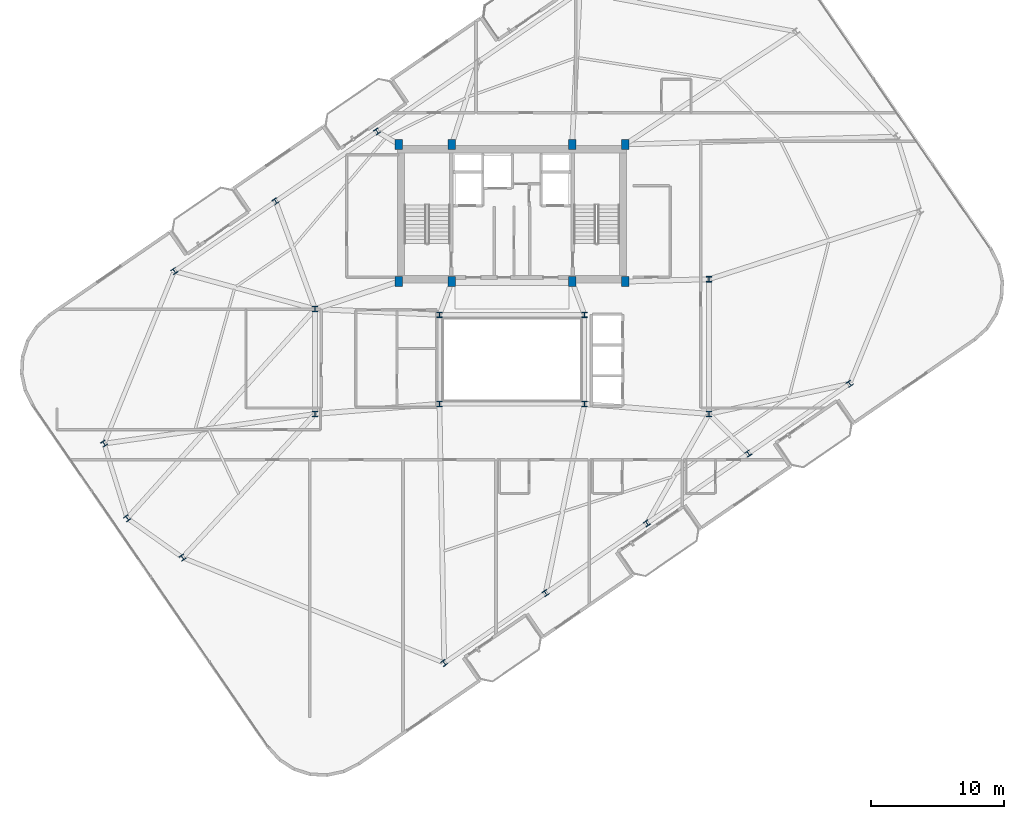
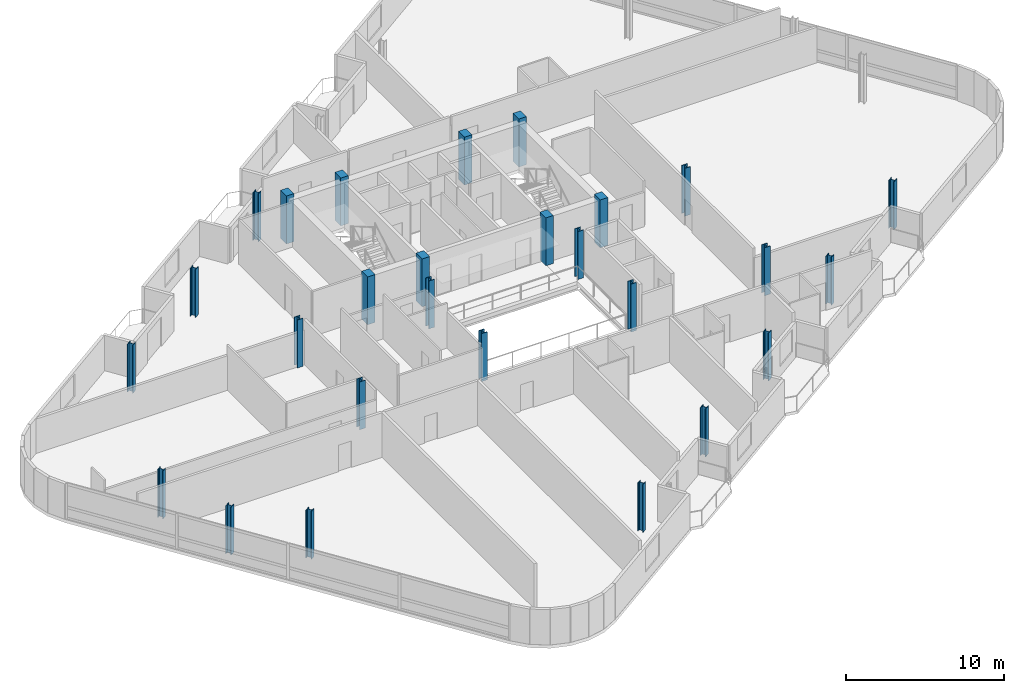
# One storey, part 1 of 21: 27 columns.
"""IFC4 building model written with IfcOpenShell, lengths in metres."""

from ifc_helpers import new_model, si_unit, direction, frame, origin, origin_2d, place, context, subcontext, project, spatial, rectangle, i_section, extrude, material, material_profile, profile_set, type_object, element, save


model = new_model("IFC4")

# Units and contexts
model_context = context("Model", 3, precision=1e-05, world=origin(), true_north=direction((0.0, 1.0)))
body_context = subcontext(model_context, "Body", "Model", "MODEL_VIEW")
ifc_project = project(units=[si_unit("LENGTHUNIT", "METRE"), si_unit("AREAUNIT", "SQUARE_METRE"), si_unit("VOLUMEUNIT", "CUBIC_METRE"), si_unit("PLANEANGLEUNIT", "RADIAN"), si_unit("MASSUNIT", "GRAM", prefix="KILO")], contexts=[model_context])

# Site, building, storey
site_placement = place(None, origin())
site = spatial("IfcSite", under=ifc_project, at=site_placement, CompositionType="ELEMENT")
building_placement = place(site_placement, origin())
building = spatial("IfcBuilding", under=site, at=building_placement, Name="Varnelok Gate Tower", CompositionType="ELEMENT")
storey_placement = place(building_placement, frame((0.0, 0.0, 261.89990234375)))
storey = spatial("IfcBuildingStorey", under=building, at=storey_placement, Name="L67", CompositionType="ELEMENT", Elevation=261.89990234375)

# Columns
ifc_material_1 = material(Name="Concrete C50/60", Category="concrete")
ifc_material_profile_1 = material_profile(ifc_material_1, rectangle(XDim=0.550048828125, YDim=0.75, at=origin_2d()), Name="RC750X550")
ifc_profile_set_1 = profile_set([ifc_material_profile_1], Name="Concrete C50/60")
column_type_1 = type_object("IfcColumnType", Name="COL-RC750X550", PredefinedType="COLUMN", material=ifc_profile_set_1)
for number, where, z_axis, x_axis, name in (
    (1, (30.699951171875, 28.75, 0.0), (0.0, 0.0, 1.0), (1.0, 0.0, 0.0), "L67 Core Spine Column SC1"),
    (2, (34.679931640625, 28.75, 0.0), (0.0, 0.0, 1.0), (1.0, 0.0, 0.0), "L67 Core Spine Column SC2"),
    (3, (43.719970703125, 28.75, 0.0), (0.0, 0.0, 1.0), (1.0, 0.0, 0.0), "L67 Core Spine Column SC3"),
    (4, (47.699951171875, 28.75, 0.0), (0.0, 0.0, 1.0), (1.0, 0.0, 0.0), "L67 Core Spine Column SC4"),
    (5, (30.699951171875, 39.050048828125, 0.0), (0.0, 0.0, 1.0), (1.0, 0.0, 0.0), "L67 Core Spine Column SC5"),
    (6, (34.679931640625, 39.050048828125, 0.0), (0.0, 0.0, 1.0), (1.0, 0.0, 0.0), "L67 Core Spine Column SC6"),
    (7, (43.719970703125, 39.050048828125, 0.0), (0.0, 0.0, 1.0), (1.0, 0.0, 0.0), "L67 Core Spine Column SC7"),
    (8, (47.699951171875, 39.050048828125, 0.0), (0.0, 0.0, 1.0), (1.0, 0.0, 0.0), "L67 Core Spine Column SC8"),
):
    element("IfcColumn", number, at=place(storey_placement, frame(where, z_axis=z_axis, x_axis=x_axis)), inside=storey, type_object=column_type_1, Name=name, PredefinedType="COLUMN", context=body_context, shape_type="SweptSolid", body=[
        extrude(rectangle(XDim=0.550048828125, YDim=0.75, at=origin_2d()), origin(), (0.0, 0.0, 1.0), 3.7001953125),
    ])
ifc_material_2 = material(Name="Structural Steel ASTM A992 Grade 50", Category="steel")
ifc_material_profile_2 = material_profile(ifc_material_2, i_section(OverallWidth=0.40087890625, OverallDepth=0.39892578125, WebThickness=0.02490234375, FlangeThickness=0.03955078125, FilletRadius=0.02197265625, at=origin_2d()), Name="W14X211")
ifc_profile_set_2 = profile_set([ifc_material_profile_2], Name="Structural Steel ASTM A992 Grade 50")
column_type_2 = type_object("IfcColumnType", Name="COL-W14X211", PredefinedType="COLUMN", material=ifc_profile_set_2)
for number, where, z_axis, x_axis, name in (
    (9, (34.107421875, 0.080810546875, 0.0), (0.0, 0.0, 1.0), (0.823532597628, 0.567268949127, 0.0), "L67 B6 Perimeter Column PC01"),
    (10, (41.72509765625, 5.327880859375, 0.0), (0.0, 0.0, 1.0), (0.823532597628, 0.567268949127, 0.0), "L67 B6 Perimeter Column PC02"),
    (11, (49.3427734375, 10.5751953125, 0.0), (0.0, 0.0, 1.0), (0.823532597628, 0.567268949127, 0.0), "L67 B6 Perimeter Column PC03"),
    (12, (56.96044921875, 15.822509765625, 0.0), (0.0, 0.0, 1.0), (0.823532597628, 0.567268949127, 0.0), "L67 B6 Perimeter Column PC04"),
    (13, (64.578125, 21.069580078125, 0.0), (0.0, 0.0, 1.0), (0.823532597628, 0.567268949127, 0.0), "L67 B6 Perimeter Column PC05"),
    (14, (29.05712890625, 40.02490234375, 0.0), (0.0, 0.0, 1.0), (0.823532597628, 0.567268949127, 0.0), "L67 B6 Perimeter Column PC11"),
    (15, (21.439697265625, 34.777587890625, 0.0), (0.0, 0.0, 1.0), (0.823532597628, 0.567268949127, 0.0), "L67 B6 Perimeter Column PC12"),
    (16, (13.822021484375, 29.5302734375, 0.0), (0.0, 0.0, 1.0), (0.823532597628, 0.567268949127, 0.0), "L67 B6 Perimeter Column PC13"),
    (17, (8.543212890625, 16.568603515625, 0.0), (0.0, 0.0, 1.0), (0.823532597628, 0.567268949127, 0.0), "L67 B6 Perimeter Column PC14"),
    (18, (10.284423828125, 10.955810546875, 0.0), (0.0, 0.0, 1.0), (0.823532597628, 0.567268949127, 0.0), "L67 B6 Perimeter Column PC15"),
    (19, (14.44287109375, 8.00390625, 0.0), (0.0, 0.0, 1.0), (0.823532597628, 0.567268949127, 0.0), "L67 B6 Perimeter Column PC16"),
):
    element("IfcColumn", number, at=place(storey_placement, frame(where, z_axis=z_axis, x_axis=x_axis)), inside=storey, type_object=column_type_2, Name=name, PredefinedType="COLUMN", context=body_context, shape_type="SweptSolid", body=[
        extrude(i_section(OverallWidth=0.40087890625, OverallDepth=0.39892578125, WebThickness=0.02490234375, FlangeThickness=0.03955078125, FilletRadius=0.02197265625, at=origin_2d()), origin(), (0.0, 0.0, 1.0), 3.7001953125),
    ])
ifc_material_profile_3 = material_profile(ifc_material_2, i_section(OverallWidth=0.406005859375, OverallDepth=0.416015625, WebThickness=0.02978515625, FlangeThickness=0.048095703125, FilletRadius=0.02490234375, at=origin_2d()), Name="W14X257")
ifc_profile_set_3 = profile_set([ifc_material_profile_3], Name="Structural Steel ASTM A992 Grade 50")
column_type_3 = type_object("IfcColumnType", Name="COL-W14X257", PredefinedType="COLUMN", material=ifc_profile_set_3)
for number, where, z_axis, x_axis, name in (
    (20, (33.75, 19.550048828125, 0.0), (0.0, 0.0, 1.0), (1.0, 0.0, 0.0), "L67 Atrium Spine Column AC1"),
    (21, (44.64990234375, 19.550048828125, 0.0), (0.0, 0.0, 1.0), (1.0, 0.0, 0.0), "L67 Atrium Spine Column AC2"),
    (22, (33.75, 26.25, 0.0), (0.0, 0.0, 1.0), (1.0, 0.0, 0.0), "L67 Atrium Spine Column AC3"),
    (23, (44.64990234375, 26.25, 0.0), (0.0, 0.0, 1.0), (1.0, 0.0, 0.0), "L67 Atrium Spine Column AC4"),
    (24, (24.39990234375, 18.800048828125, 0.0), (0.0, 0.0, 1.0), (1.0, 0.0, 0.0), "L67 Wing Spine Column WS1"),
    (25, (24.39990234375, 26.679931640625, 0.0), (0.0, 0.0, 1.0), (1.0, 0.0, 0.0), "L67 Wing Spine Column WS2"),
    (26, (54.0, 18.800048828125, 0.0), (0.0, 0.0, 1.0), (1.0, 0.0, 0.0), "L67 Wing Spine Column ES1"),
    (27, (54.0, 28.919921875, 0.0), (0.0, 0.0, 1.0), (1.0, 0.0, 0.0), "L67 Wing Spine Column ES2"),
):
    element("IfcColumn", number, at=place(storey_placement, frame(where, z_axis=z_axis, x_axis=x_axis)), inside=storey, type_object=column_type_3, Name=name, PredefinedType="COLUMN", context=body_context, shape_type="SweptSolid", body=[
        extrude(i_section(OverallWidth=0.406005859375, OverallDepth=0.416015625, WebThickness=0.02978515625, FlangeThickness=0.048095703125, FilletRadius=0.02490234375, at=origin_2d()), origin(), (0.0, 0.0, 1.0), 3.7001953125),
    ])

save(model, "model.ifc")
